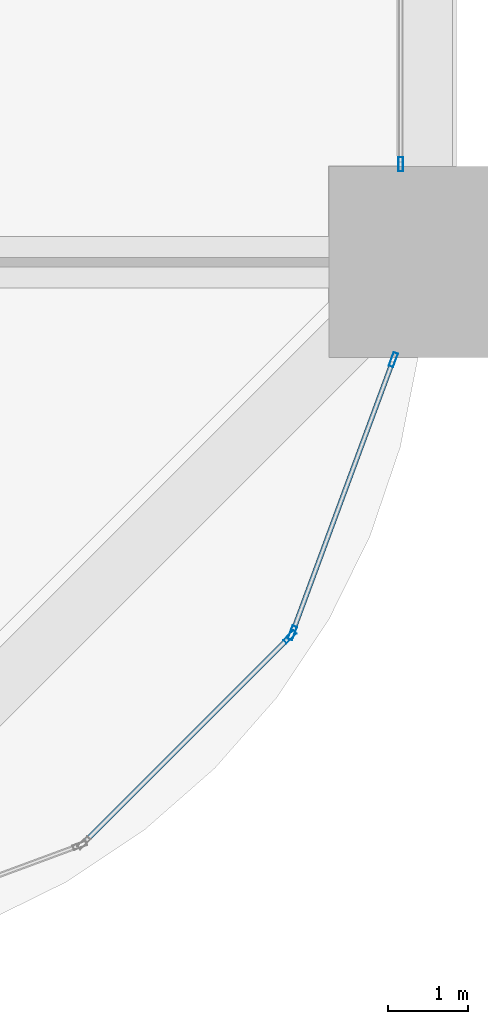
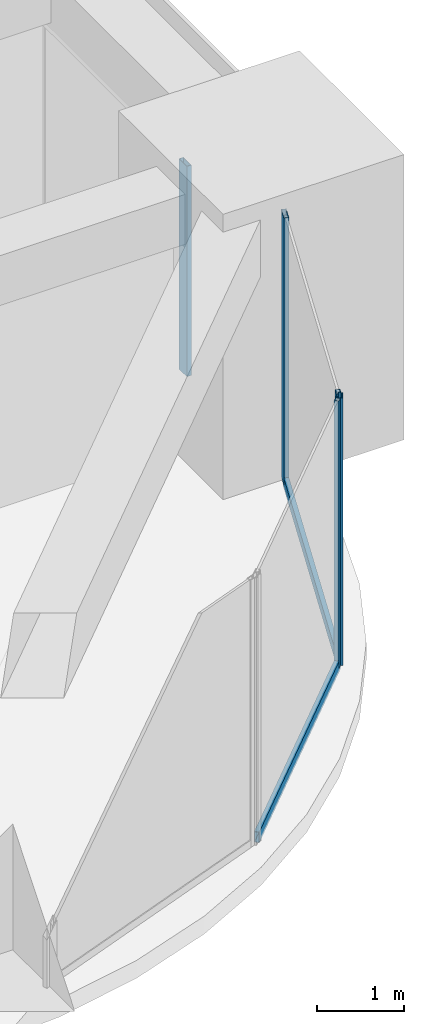
# One storey, part 26 of 39: 6 members, 3 elements without a shape of their own.
"""IFC4 building model written with IfcOpenShell, lengths in metres."""

from ifc_helpers import new_model, si_unit, direction, frame, origin, origin_2d, place, context, subcontext, project, spatial, hollow_rectangle, extrude, material, material_profile, profile_set, type_object, element, aggregate, save


model = new_model("IFC4")

# Units and contexts
model_context = context("Model", 3, precision=1e-05, world=origin(), true_north=direction((0.0, 1.0)))
body_context = subcontext(model_context, "Body", "Model", "MODEL_VIEW")
ifc_project = project(units=[si_unit("LENGTHUNIT", "METRE"), si_unit("AREAUNIT", "SQUARE_METRE"), si_unit("VOLUMEUNIT", "CUBIC_METRE"), si_unit("PLANEANGLEUNIT", "RADIAN"), si_unit("MASSUNIT", "GRAM", prefix="KILO")], contexts=[model_context])

# Site, building, storey
site_placement = place(None, origin())
site = spatial("IfcSite", under=ifc_project, at=site_placement, CompositionType="ELEMENT")
building_placement = place(site_placement, origin())
building = spatial("IfcBuilding", under=site, at=building_placement, Name="Zorevar Civic Tower", CompositionType="ELEMENT")
storey_placement = place(building_placement, frame((0.0, 0.0, 19.800048828125)))
storey = spatial("IfcBuildingStorey", under=building, at=storey_placement, Name="L04", CompositionType="ELEMENT", Elevation=19.800048828125)

# Curtain wall, member
ifc_material_1 = material(Name="Dark grey solar-control glass in black aluminium frame", Category="aluminium")
curtain_wall_type = type_object("IfcCurtainWallType", Name="Curtain wall CW2 low zone", PredefinedType="NOTDEFINED", material=ifc_material_1)
curtain_wall_1_placement = place(storey_placement, origin())
curtain_wall_1 = element("IfcCurtainWall", 1, at=curtain_wall_1_placement, inside=storey, type_object=curtain_wall_type, Name="CW2 L04", PredefinedType="NOTDEFINED")
ifc_material_2 = material(Name="Aluminium, black anodised", Category="aluminium")
ifc_material_profile_1 = material_profile(ifc_material_2, hollow_rectangle(XDim=0.06005859375, YDim=0.179931640625, WallThickness=0.00390625, at=origin_2d()), Name="AL 180x60x4")
ifc_profile_set_1 = profile_set([ifc_material_profile_1], Name="Aluminium, black anodised")
member_type_1 = type_object("IfcMemberType", Name="CW2 mullion AL 180x60x4", PredefinedType="MULLION", material=ifc_profile_set_1)
member_1_placement = place(storey_placement, frame((62.699951171875, 10.22998046875, 0.0), z_axis=(0.0, 0.0, 1.0), x_axis=(-1.0, 0.0, 0.0)))
member_1 = element("IfcMember", 2, at=member_1_placement, type_object=member_type_1, Name="CW2 mullion 1", PredefinedType="MULLION", context=body_context, shape_type="SweptSolid", body=[
    extrude(hollow_rectangle(XDim=0.06005859375, YDim=0.179931640625, WallThickness=0.00390625, at=origin_2d()), origin(), (0.0, 0.0, 1.0), 2.949951171875),
])
aggregate(curtain_wall_1, [member_1])

curtain_wall_2_placement = place(storey_placement, origin())
curtain_wall_2 = element("IfcCurtainWall", 3, at=curtain_wall_2_placement, inside=storey, type_object=curtain_wall_type, Name="CW2 L04", PredefinedType="NOTDEFINED")
member_2_placement = place(storey_placement, frame((61.3046875, 4.2861328125, 0.0), z_axis=(0.0, 0.0, 1.0), x_axis=(-0.707106781187, 0.707106781187, 0.0)))
member_2 = element("IfcMember", 4, at=member_2_placement, type_object=member_type_1, Name="CW2 mullion 2", PredefinedType="MULLION", context=body_context, shape_type="SweptSolid", body=[
    extrude(hollow_rectangle(XDim=0.06005859375, YDim=0.179931640625, WallThickness=0.00390625, at=origin_2d()), origin(), (0.0, 0.0, 1.0), 3.75),
])

# Curtain wall, members
curtain_wall_3_placement = place(storey_placement, origin())
curtain_wall_3 = element("IfcCurtainWall", 5, at=curtain_wall_3_placement, inside=storey, type_object=curtain_wall_type, Name="CW2 L04", PredefinedType="NOTDEFINED")
member_3_placement = place(storey_placement, frame((61.336181640625, 4.33544921875, 0.0), z_axis=(0.0, 0.0, 1.0), x_axis=(-0.937974588163, 0.346704012033, 0.0)))
member_3 = element("IfcMember", 6, at=member_3_placement, type_object=member_type_1, Name="CW2 mullion 1", PredefinedType="MULLION", context=body_context, shape_type="SweptSolid", body=[
    extrude(hollow_rectangle(XDim=0.06005859375, YDim=0.179931640625, WallThickness=0.00390625, at=origin_2d()), origin(), (0.0, 0.0, 1.0), 3.75),
])
member_4_placement = place(storey_placement, frame((62.6064453125, 7.77197265625, 0.0), z_axis=(0.0, 0.0, 1.0), x_axis=(-0.937974588163, 0.346704012033, 0.0)))
member_4 = element("IfcMember", 7, at=member_4_placement, type_object=member_type_1, Name="CW2 mullion 2", PredefinedType="MULLION", context=body_context, shape_type="SweptSolid", body=[
    extrude(hollow_rectangle(XDim=0.06005859375, YDim=0.179931640625, WallThickness=0.00390625, at=origin_2d()), origin(), (0.0, 0.0, 1.0), 3.75),
])

# Member
ifc_material_3 = material(Name="Aluminium, black anodised", Category="aluminium")
ifc_material_profile_2 = material_profile(ifc_material_3, hollow_rectangle(XDim=0.06005859375, YDim=0.14990234375, WallThickness=0.00390625, at=origin_2d()), Name="AL 150x60x4")
ifc_profile_set_2 = profile_set([ifc_material_profile_2], Name="Aluminium, black anodised")
member_type_2 = type_object("IfcMemberType", Name="CW2 transom AL 150x60x4", PredefinedType="USERDEFINED", material=ifc_profile_set_2)
member_5_placement = place(storey_placement, frame((58.735107421875, 1.716552734375, 0.030029296875), z_axis=(0.707106781187, 0.707106781187, 0.0), x_axis=(-0.707106781187, 0.707106781187, 0.0)))
member_5 = element("IfcMember", 8, at=member_5_placement, type_object=member_type_2, Name="CW2 sill transom", ObjectType="TRANSOM", PredefinedType="USERDEFINED", context=body_context, shape_type="SweptSolid", body=[
    extrude(hollow_rectangle(XDim=0.06005859375, YDim=0.14990234375, WallThickness=0.00390625, at=origin_2d()), origin(), (0.0, 0.0, 1.0), 3.60400390625),
])

aggregate(curtain_wall_2, [member_2, member_5])

member_6_placement = place(storey_placement, frame((61.3466796875, 4.363525390625, 0.030029296875), z_axis=(0.346672169799, 0.93798635741, 0.0), x_axis=(-0.93798635741, 0.346672169799, 0.0)))
member_6 = element("IfcMember", 9, at=member_6_placement, type_object=member_type_2, Name="CW2 sill transom", ObjectType="TRANSOM", PredefinedType="USERDEFINED", context=body_context, shape_type="SweptSolid", body=[
    extrude(hollow_rectangle(XDim=0.06005859375, YDim=0.14990234375, WallThickness=0.00390625, at=origin_2d()), origin(), (0.0, 0.0, 1.0), 3.603515625),
])

aggregate(curtain_wall_3, [member_3, member_4, member_6])

save(model, "model.ifc")
